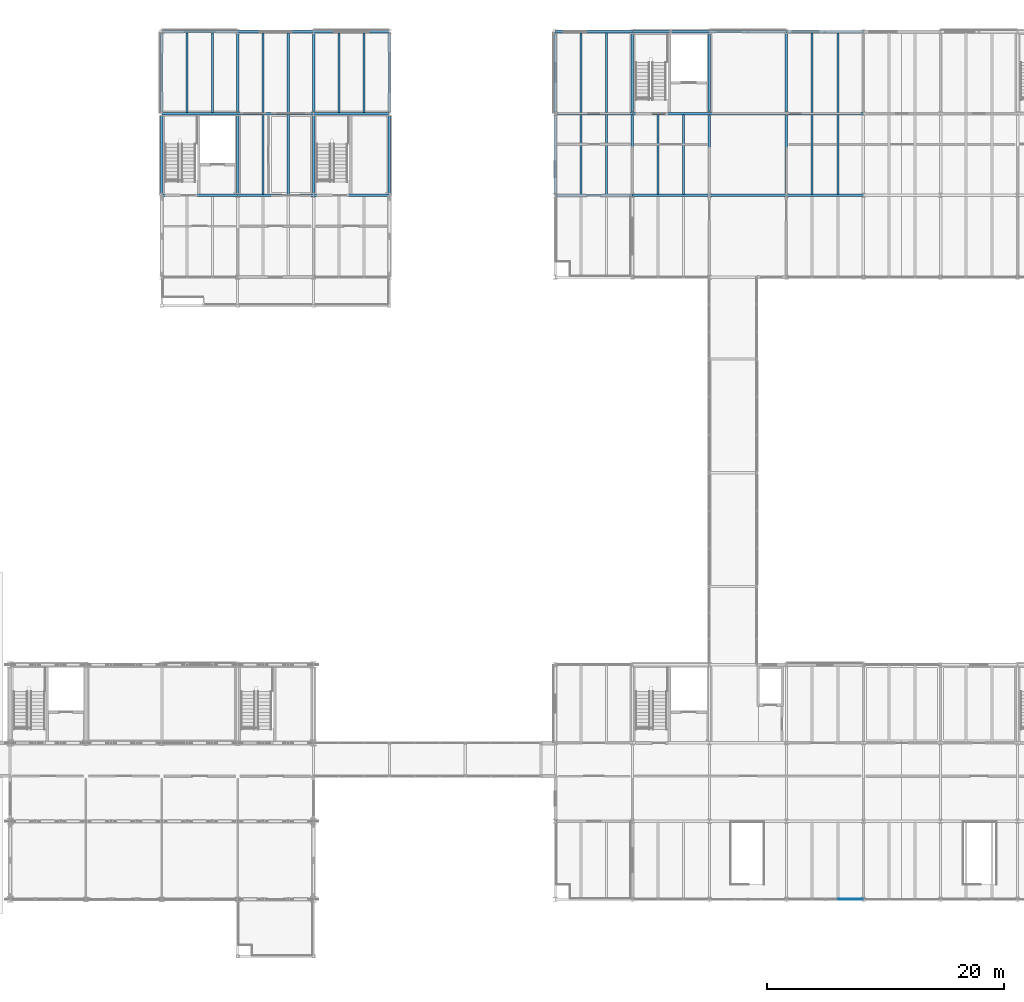
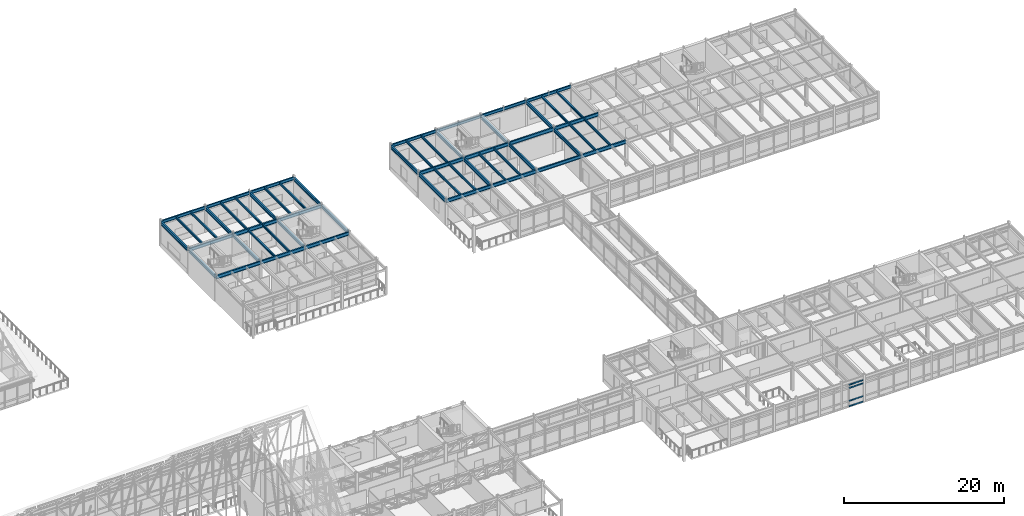
# One storey, part 79 of 144: 55 beams, 4 members, 1 element without a shape of its own.
"""IFC4 building model written with IfcOpenShell, lengths in metres."""

from ifc_helpers import new_model, si_unit, direction, frame, origin, origin_2d, place, context, subcontext, project, spatial, rectangle, i_section, extrude, material, layer, layer_set, material_profile, profile_set, type_object, element, aggregate, save


model = new_model("IFC4")

# Units and contexts
model_context = context("Model", 3, precision=1e-05, world=origin(), true_north=direction((0.0, 1.0)))
body_context = subcontext(model_context, "Body", "Model", "MODEL_VIEW")
ifc_project = project(units=[si_unit("LENGTHUNIT", "METRE"), si_unit("AREAUNIT", "SQUARE_METRE"), si_unit("VOLUMEUNIT", "CUBIC_METRE"), si_unit("PLANEANGLEUNIT", "RADIAN"), si_unit("MASSUNIT", "GRAM", prefix="KILO")], contexts=[model_context])

# Site, building, storey
site_placement = place(None, origin())
site = spatial("IfcSite", under=ifc_project, at=site_placement, CompositionType="ELEMENT")
building_placement = place(site_placement, origin())
building = spatial("IfcBuilding", under=site, at=building_placement, Name="Trelmorton Wharf Fire Station", CompositionType="ELEMENT")
storey_placement = place(building_placement, frame((0.0, 0.0, 5.39990234375)))
storey = spatial("IfcBuildingStorey", under=building, at=storey_placement, Name="L01", CompositionType="ELEMENT", Elevation=5.39990234375)

# Beams
ifc_material_1 = material(Name="Steel Grade 350", Category="steel")
ifc_material_profile_1 = material_profile(ifc_material_1, i_section(OverallWidth=0.208984375, OverallDepth=0.528076171875, WebThickness=0.009521484375, FlangeThickness=0.01318359375, FilletRadius=0.013916015625, at=origin_2d()), Name="530UB82.0")
ifc_profile_set_1 = profile_set([ifc_material_profile_1], Name="Steel Grade 350")
beam_type_1 = type_object("IfcBeamType", Name="BM_530UB82", PredefinedType="BEAM", material=ifc_profile_set_1)
for number, where, z_axis, x_axis, name in (
    (1, (70.805908203125, 67.199951171875, 3.666015625), (1.0, 0.0, 0.0), (0.0, 1.0, 0.0), "BM-L01-0513"),
    (2, (77.205810546875, 67.199951171875, 3.666015625), (1.0, 0.0, 0.0), (0.0, 1.0, 0.0), "BM-L01-0514"),
):
    element("IfcBeam", number, at=place(storey_placement, frame(where, z_axis=z_axis, x_axis=x_axis)), inside=storey, type_object=beam_type_1, Name=name, PredefinedType="BEAM", context=body_context, shape_type="SweptSolid", body=[
        extrude(i_section(OverallWidth=0.208984375, OverallDepth=0.528076171875, WebThickness=0.009521484375, FlangeThickness=0.01318359375, FilletRadius=0.013916015625, at=origin_2d()), origin(), (0.0, 0.0, 1.0), 6.38818359375),
    ])
beam_1_placement = place(storey_placement, frame((83.605712890625, 67.199951171875, 3.666015625), z_axis=(1.0, 0.0, 0.0), x_axis=(0.0, 1.0, 0.0)))
element("IfcBeam", 3, at=beam_1_placement, inside=storey, type_object=beam_type_1, Name="BM-L01-0515", PredefinedType="BEAM", context=body_context, shape_type="SweptSolid", body=[
    extrude(i_section(OverallWidth=0.208984375, OverallDepth=0.528076171875, WebThickness=0.009521484375, FlangeThickness=0.01318359375, FilletRadius=0.013916015625, at=origin_2d()), origin(), (0.0, 0.0, 1.0), 6.388427734375),
])
for number, where, z_axis, x_axis, name in (
    (4, (104.0048828125, 67.199951171875, 3.666015625), (1.0, 0.0, 0.0), (0.0, 1.0, 0.0), "BM-L01-0516"),
    (5, (110.5048828125, 67.199951171875, 3.666015625), (1.0, 0.0, 0.0), (0.0, 1.0, 0.0), "BM-L01-0517"),
    (6, (117.0048828125, 67.199951171875, 3.666015625), (1.0, 0.0, 0.0), (0.0, 1.0, 0.0), "BM-L01-0518"),
    (7, (123.5048828125, 67.199951171875, 3.666015625), (1.0, 0.0, 0.0), (0.0, 1.0, 0.0), "BM-L01-0519"),
):
    element("IfcBeam", number, at=place(storey_placement, frame(where, z_axis=z_axis, x_axis=x_axis)), inside=storey, type_object=beam_type_1, Name=name, PredefinedType="BEAM", context=body_context, shape_type="SweptSolid", body=[
        extrude(i_section(OverallWidth=0.208984375, OverallDepth=0.528076171875, WebThickness=0.009521484375, FlangeThickness=0.01318359375, FilletRadius=0.013916015625, at=origin_2d()), origin(), (0.0, 0.0, 1.0), 6.490234375),
    ])
for number, where, z_axis, x_axis, name in (
    (8, (70.805908203125, 74.10009765625, 3.666015625), (1.0, 0.0, 0.0), (0.0, 1.0, 0.0), "BM-L01-0532"),
    (9, (77.205810546875, 74.10009765625, 3.666015625), (1.0, 0.0, 0.0), (0.0, 1.0, 0.0), "BM-L01-0533"),
):
    element("IfcBeam", number, at=place(storey_placement, frame(where, z_axis=z_axis, x_axis=x_axis)), inside=storey, type_object=beam_type_1, Name=name, PredefinedType="BEAM", context=body_context, shape_type="SweptSolid", body=[
        extrude(i_section(OverallWidth=0.208984375, OverallDepth=0.528076171875, WebThickness=0.009521484375, FlangeThickness=0.01318359375, FilletRadius=0.013916015625, at=origin_2d()), origin(), (0.0, 0.0, 1.0), 6.38818359375),
    ])
beam_2_placement = place(storey_placement, frame((83.605712890625, 74.10009765625, 3.666015625), z_axis=(1.0, 0.0, 0.0), x_axis=(0.0, 1.0, 0.0)))
element("IfcBeam", 10, at=beam_2_placement, inside=storey, type_object=beam_type_1, Name="BM-L01-0534", PredefinedType="BEAM", context=body_context, shape_type="SweptSolid", body=[
    extrude(i_section(OverallWidth=0.208984375, OverallDepth=0.528076171875, WebThickness=0.009521484375, FlangeThickness=0.01318359375, FilletRadius=0.013916015625, at=origin_2d()), origin(), (0.0, 0.0, 1.0), 6.388427734375),
])
for number, where, z_axis, x_axis, name in (
    (11, (104.0048828125, 74.10009765625, 3.666015625), (1.0, 0.0, 0.0), (0.0, 1.0, 0.0), "BM-L01-0535"),
    (12, (110.5048828125, 74.10009765625, 3.666015625), (1.0, 0.0, 0.0), (0.0, 1.0, 0.0), "BM-L01-0536"),
    (13, (117.0048828125, 74.10009765625, 3.666015625), (1.0, 0.0, 0.0), (0.0, 1.0, 0.0), "BM-L01-0537"),
    (14, (123.5048828125, 74.10009765625, 3.666015625), (1.0, 0.0, 0.0), (0.0, 1.0, 0.0), "BM-L01-0538"),
):
    element("IfcBeam", number, at=place(storey_placement, frame(where, z_axis=z_axis, x_axis=x_axis)), inside=storey, type_object=beam_type_1, Name=name, PredefinedType="BEAM", context=body_context, shape_type="SweptSolid", body=[
        extrude(i_section(OverallWidth=0.208984375, OverallDepth=0.528076171875, WebThickness=0.009521484375, FlangeThickness=0.01318359375, FilletRadius=0.013916015625, at=origin_2d()), origin(), (0.0, 0.0, 1.0), 6.490234375),
    ])
ifc_material_profile_2 = material_profile(ifc_material_1, i_section(OverallWidth=0.208984375, OverallDepth=0.532958984375, WebThickness=0.01025390625, FlangeThickness=0.015625, FilletRadius=0.013916015625, at=origin_2d()), Name="530UB92.4")
ifc_profile_set_2 = profile_set([ifc_material_profile_2], Name="Steel Grade 350")
beam_type_2 = type_object("IfcBeamType", Name="BM_530UB92", PredefinedType="BEAM", material=ifc_profile_set_2)
beam_3_placement = place(storey_placement, frame((70.800048828125, 67.359619140625, 3.66357421875), z_axis=(0.0, 1.0, 0.0), x_axis=(-1.0, 0.0, 0.0)))
element("IfcBeam", 15, at=beam_3_placement, inside=storey, type_object=beam_type_2, Name="BM-L01-0593", PredefinedType="BEAM", context=body_context, shape_type="SweptSolid", body=[
    extrude(i_section(OverallWidth=0.208984375, OverallDepth=0.532958984375, WebThickness=0.01025390625, FlangeThickness=0.015625, FilletRadius=0.013916015625, at=origin_2d()), origin(), (0.0, 0.0, 1.0), 6.580810546875),
])
beam_4_placement = place(storey_placement, frame((70.800048828125, 74.259521484375, 3.66357421875), z_axis=(0.0, 1.0, 0.0), x_axis=(-1.0, 0.0, 0.0)))
element("IfcBeam", 16, at=beam_4_placement, inside=storey, type_object=beam_type_2, Name="BM-L01-0594", PredefinedType="BEAM", context=body_context, shape_type="SweptSolid", body=[
    extrude(i_section(OverallWidth=0.208984375, OverallDepth=0.532958984375, WebThickness=0.01025390625, FlangeThickness=0.015625, FilletRadius=0.013916015625, at=origin_2d()), origin(), (0.0, 0.0, 1.0), 6.5810546875),
])
beam_5_placement = place(storey_placement, frame((77.199951171875, 67.359619140625, 3.66357421875), z_axis=(0.0, 1.0, 0.0), x_axis=(-1.0, 0.0, 0.0)))
element("IfcBeam", 17, at=beam_5_placement, inside=storey, type_object=beam_type_2, Name="BM-L01-0599", PredefinedType="BEAM", context=body_context, shape_type="SweptSolid", body=[
    extrude(i_section(OverallWidth=0.208984375, OverallDepth=0.532958984375, WebThickness=0.01025390625, FlangeThickness=0.015625, FilletRadius=0.013916015625, at=origin_2d()), origin(), (0.0, 0.0, 1.0), 6.580810546875),
])
beam_6_placement = place(storey_placement, frame((77.199951171875, 74.259521484375, 3.66357421875), z_axis=(0.0, 1.0, 0.0), x_axis=(-1.0, 0.0, 0.0)))
element("IfcBeam", 18, at=beam_6_placement, inside=storey, type_object=beam_type_2, Name="BM-L01-0600", PredefinedType="BEAM", context=body_context, shape_type="SweptSolid", body=[
    extrude(i_section(OverallWidth=0.208984375, OverallDepth=0.532958984375, WebThickness=0.01025390625, FlangeThickness=0.015625, FilletRadius=0.013916015625, at=origin_2d()), origin(), (0.0, 0.0, 1.0), 6.5810546875),
])
beam_7_placement = place(storey_placement, frame((83.60009765625, 67.359619140625, 3.66357421875), z_axis=(0.0, 1.0, 0.0), x_axis=(-1.0, 0.0, 0.0)))
element("IfcBeam", 19, at=beam_7_placement, inside=storey, type_object=beam_type_2, Name="BM-L01-0607", PredefinedType="BEAM", context=body_context, shape_type="SweptSolid", body=[
    extrude(i_section(OverallWidth=0.208984375, OverallDepth=0.532958984375, WebThickness=0.01025390625, FlangeThickness=0.015625, FilletRadius=0.013916015625, at=origin_2d()), origin(), (0.0, 0.0, 1.0), 6.580810546875),
])
beam_8_placement = place(storey_placement, frame((83.60009765625, 74.259521484375, 3.66357421875), z_axis=(0.0, 1.0, 0.0), x_axis=(-1.0, 0.0, 0.0)))
element("IfcBeam", 20, at=beam_8_placement, inside=storey, type_object=beam_type_2, Name="BM-L01-0608", PredefinedType="BEAM", context=body_context, shape_type="SweptSolid", body=[
    extrude(i_section(OverallWidth=0.208984375, OverallDepth=0.532958984375, WebThickness=0.01025390625, FlangeThickness=0.015625, FilletRadius=0.013916015625, at=origin_2d()), origin(), (0.0, 0.0, 1.0), 6.5810546875),
])
beam_9_placement = place(storey_placement, frame((90.0, 67.359619140625, 3.66357421875), z_axis=(0.0, 1.0, 0.0), x_axis=(-1.0, 0.0, 0.0)))
element("IfcBeam", 21, at=beam_9_placement, inside=storey, type_object=beam_type_2, Name="BM-L01-0612", PredefinedType="BEAM", context=body_context, shape_type="SweptSolid", body=[
    extrude(i_section(OverallWidth=0.208984375, OverallDepth=0.532958984375, WebThickness=0.01025390625, FlangeThickness=0.015625, FilletRadius=0.013916015625, at=origin_2d()), origin(), (0.0, 0.0, 1.0), 6.580810546875),
])
beam_10_placement = place(storey_placement, frame((90.0, 74.259521484375, 3.66357421875), z_axis=(0.0, 1.0, 0.0), x_axis=(-1.0, 0.0, 0.0)))
element("IfcBeam", 22, at=beam_10_placement, inside=storey, type_object=beam_type_2, Name="BM-L01-0613", PredefinedType="BEAM", context=body_context, shape_type="SweptSolid", body=[
    extrude(i_section(OverallWidth=0.208984375, OverallDepth=0.532958984375, WebThickness=0.01025390625, FlangeThickness=0.015625, FilletRadius=0.013916015625, at=origin_2d()), origin(), (0.0, 0.0, 1.0), 6.5810546875),
])
beam_11_placement = place(storey_placement, frame((104.0, 67.3564453125, 3.66357421875), z_axis=(0.0, 1.0, 0.0), x_axis=(-1.0, 0.0, 0.0)))
element("IfcBeam", 23, at=beam_11_placement, inside=storey, type_object=beam_type_2, Name="BM-L01-0620", PredefinedType="BEAM", context=body_context, shape_type="SweptSolid", body=[
    extrude(i_section(OverallWidth=0.208984375, OverallDepth=0.532958984375, WebThickness=0.01025390625, FlangeThickness=0.015625, FilletRadius=0.013916015625, at=origin_2d()), origin(), (0.0, 0.0, 1.0), 6.587158203125),
])
beam_12_placement = place(storey_placement, frame((104.0, 74.256591796875, 3.66357421875), z_axis=(0.0, 1.0, 0.0), x_axis=(-1.0, 0.0, 0.0)))
element("IfcBeam", 24, at=beam_12_placement, inside=storey, type_object=beam_type_2, Name="BM-L01-0621", PredefinedType="BEAM", context=body_context, shape_type="SweptSolid", body=[
    extrude(i_section(OverallWidth=0.208984375, OverallDepth=0.532958984375, WebThickness=0.01025390625, FlangeThickness=0.015625, FilletRadius=0.013916015625, at=origin_2d()), origin(), (0.0, 0.0, 1.0), 6.5869140625),
])
beam_13_placement = place(storey_placement, frame((110.5, 67.3564453125, 3.66357421875), z_axis=(0.0, 1.0, 0.0), x_axis=(-1.0, 0.0, 0.0)))
element("IfcBeam", 25, at=beam_13_placement, inside=storey, type_object=beam_type_2, Name="BM-L01-0626", PredefinedType="BEAM", context=body_context, shape_type="SweptSolid", body=[
    extrude(i_section(OverallWidth=0.208984375, OverallDepth=0.532958984375, WebThickness=0.01025390625, FlangeThickness=0.015625, FilletRadius=0.013916015625, at=origin_2d()), origin(), (0.0, 0.0, 1.0), 6.587158203125),
])
beam_14_placement = place(storey_placement, frame((110.5, 74.256591796875, 3.66357421875), z_axis=(0.0, 1.0, 0.0), x_axis=(-1.0, 0.0, 0.0)))
element("IfcBeam", 26, at=beam_14_placement, inside=storey, type_object=beam_type_2, Name="BM-L01-0627", PredefinedType="BEAM", context=body_context, shape_type="SweptSolid", body=[
    extrude(i_section(OverallWidth=0.208984375, OverallDepth=0.532958984375, WebThickness=0.01025390625, FlangeThickness=0.015625, FilletRadius=0.013916015625, at=origin_2d()), origin(), (0.0, 0.0, 1.0), 6.5869140625),
])
beam_15_placement = place(storey_placement, frame((117.0, 67.3564453125, 3.66357421875), z_axis=(0.0, 1.0, 0.0), x_axis=(-1.0, 0.0, 0.0)))
element("IfcBeam", 27, at=beam_15_placement, inside=storey, type_object=beam_type_2, Name="BM-L01-0636", PredefinedType="BEAM", context=body_context, shape_type="SweptSolid", body=[
    extrude(i_section(OverallWidth=0.208984375, OverallDepth=0.532958984375, WebThickness=0.01025390625, FlangeThickness=0.015625, FilletRadius=0.013916015625, at=origin_2d()), origin(), (0.0, 0.0, 1.0), 6.587158203125),
])
beam_16_placement = place(storey_placement, frame((117.0, 74.256591796875, 3.66357421875), z_axis=(0.0, 1.0, 0.0), x_axis=(-1.0, 0.0, 0.0)))
element("IfcBeam", 28, at=beam_16_placement, inside=storey, type_object=beam_type_2, Name="BM-L01-0637", PredefinedType="BEAM", context=body_context, shape_type="SweptSolid", body=[
    extrude(i_section(OverallWidth=0.208984375, OverallDepth=0.532958984375, WebThickness=0.01025390625, FlangeThickness=0.015625, FilletRadius=0.013916015625, at=origin_2d()), origin(), (0.0, 0.0, 1.0), 6.5869140625),
])
beam_17_placement = place(storey_placement, frame((123.5, 67.3564453125, 3.66357421875), z_axis=(0.0, 1.0, 0.0), x_axis=(-1.0, 0.0, 0.0)))
element("IfcBeam", 29, at=beam_17_placement, inside=storey, type_object=beam_type_2, Name="BM-L01-0644", PredefinedType="BEAM", context=body_context, shape_type="SweptSolid", body=[
    extrude(i_section(OverallWidth=0.208984375, OverallDepth=0.532958984375, WebThickness=0.01025390625, FlangeThickness=0.015625, FilletRadius=0.013916015625, at=origin_2d()), origin(), (0.0, 0.0, 1.0), 6.587158203125),
])
beam_18_placement = place(storey_placement, frame((123.5, 74.256591796875, 3.66357421875), z_axis=(0.0, 1.0, 0.0), x_axis=(-1.0, 0.0, 0.0)))
element("IfcBeam", 30, at=beam_18_placement, inside=storey, type_object=beam_type_2, Name="BM-L01-0645", PredefinedType="BEAM", context=body_context, shape_type="SweptSolid", body=[
    extrude(i_section(OverallWidth=0.208984375, OverallDepth=0.532958984375, WebThickness=0.01025390625, FlangeThickness=0.015625, FilletRadius=0.013916015625, at=origin_2d()), origin(), (0.0, 0.0, 1.0), 6.5869140625),
])

# Curtain wall, members
ifc_material_2 = material(Name="Anodised aluminium AW-6063", Category="aluminium")
ifc_layer = layer(ifc_material_2, 0.175048828125)
ifc_layer_set = layer_set([ifc_layer], Name="Anodised aluminium AW-6063")
curtain_wall_type = type_object("IfcCurtainWallType", Name="CW_CHIC_B", PredefinedType="USERDEFINED", material=ifc_layer_set)
curtain_wall_placement = place(storey_placement, origin())
curtain_wall = element("IfcCurtainWall", 31, at=curtain_wall_placement, inside=storey, type_object=curtain_wall_type, Name="CW-V5-L01-040", ObjectType="CHICAGO BAY CURTAIN WALL", PredefinedType="USERDEFINED")
ifc_material_profile_3 = material_profile(ifc_material_2, rectangle(XDim=0.074951171875, YDim=0.155029296875, at=origin_2d()), Name="ALU-75x155")
ifc_profile_set_3 = profile_set([ifc_material_profile_3], Name="Anodised aluminium AW-6063")
member_type = type_object("IfcMemberType", Name="CWT_75x155", PredefinedType="USERDEFINED", material=ifc_profile_set_3)
member_1_placement = place(storey_placement, frame((129.93505859375, 7.800048828125, 0.030029296875), z_axis=(-1.0, 0.0, 0.0), x_axis=(0.0, -1.0, 0.0)))
member_1 = element("IfcMember", 32, at=member_1_placement, type_object=member_type, Name="CW2 transom 1.1", ObjectType="TRANSOM", PredefinedType="USERDEFINED", context=body_context, shape_type="SweptSolid", body=[
    extrude(rectangle(XDim=0.074951171875, YDim=0.155029296875, at=origin_2d()), origin(), (0.0, 0.0, 1.0), 2.073486328125),
])
member_2_placement = place(storey_placement, frame((129.93505859375, 7.800048828125, 0.85009765625), z_axis=(-1.0, 0.0, 0.0), x_axis=(0.0, -1.0, 0.0)))
member_2 = element("IfcMember", 33, at=member_2_placement, type_object=member_type, Name="CW2 transom 1.2", ObjectType="TRANSOM", PredefinedType="USERDEFINED", context=body_context, shape_type="SweptSolid", body=[
    extrude(rectangle(XDim=0.074951171875, YDim=0.155029296875, at=origin_2d()), origin(), (0.0, 0.0, 1.0), 2.073486328125),
])
member_3_placement = place(storey_placement, frame((129.93505859375, 7.800048828125, 2.820068359375), z_axis=(-1.0, 0.0, 0.0), x_axis=(0.0, -1.0, 0.0)))
member_3 = element("IfcMember", 34, at=member_3_placement, type_object=member_type, Name="CW2 transom 1.3", ObjectType="TRANSOM", PredefinedType="USERDEFINED", context=body_context, shape_type="SweptSolid", body=[
    extrude(rectangle(XDim=0.074951171875, YDim=0.155029296875, at=origin_2d()), origin(), (0.0, 0.0, 1.0), 2.073486328125),
])
member_4_placement = place(storey_placement, frame((129.93505859375, 7.800048828125, 3.2900390625), z_axis=(-1.0, 0.0, 0.0), x_axis=(0.0, -1.0, 0.0)))
member_4 = element("IfcMember", 35, at=member_4_placement, type_object=member_type, Name="CW2 transom 1.4", ObjectType="TRANSOM", PredefinedType="USERDEFINED", context=body_context, shape_type="SweptSolid", body=[
    extrude(rectangle(XDim=0.074951171875, YDim=0.155029296875, at=origin_2d()), origin(), (0.0, 0.0, 1.0), 2.073486328125),
])
aggregate(curtain_wall, [member_1, member_2, member_3, member_4])

# Beams
ifc_material_profile_4 = material_profile(ifc_material_1, i_section(OverallWidth=0.172119140625, OverallDepth=0.35888671875, WebThickness=0.008056640625, FlangeThickness=0.012939453125, FilletRadius=0.011474609375, at=origin_2d()), Name="360UB56.7")
ifc_profile_set_4 = profile_set([ifc_material_profile_4], Name="Steel Grade 350")
beam_type_3 = type_object("IfcBeamType", Name="JS_360UB57", PredefinedType="JOIST", material=ifc_profile_set_4)
for number, where, z_axis, x_axis, name in (
    (36, (72.933349609375, 74.18994140625, 3.75048828125), (0.0, 1.0, 0.0), (-1.0, 0.0, 0.0), "JS-L01-0143"),
    (37, (75.066650390625, 74.18994140625, 3.75048828125), (0.0, 1.0, 0.0), (-1.0, 0.0, 0.0), "JS-L01-0144"),
    (38, (79.333251953125, 67.2900390625, 3.75048828125), (0.0, 1.0, 0.0), (-1.0, 0.0, 0.0), "JS-L01-0147"),
    (39, (81.466796875, 67.2900390625, 3.75048828125), (0.0, 1.0, 0.0), (-1.0, 0.0, 0.0), "JS-L01-0148"),
    (40, (79.333251953125, 74.18994140625, 3.75048828125), (0.0, 1.0, 0.0), (-1.0, 0.0, 0.0), "JS-L01-0149"),
    (41, (81.466796875, 74.18994140625, 3.75048828125), (0.0, 1.0, 0.0), (-1.0, 0.0, 0.0), "JS-L01-0150"),
    (42, (85.7333984375, 74.18994140625, 3.75048828125), (0.0, 1.0, 0.0), (-1.0, 0.0, 0.0), "JS-L01-0153"),
    (43, (87.86669921875, 74.18994140625, 3.75048828125), (0.0, 1.0, 0.0), (-1.0, 0.0, 0.0), "JS-L01-0154"),
    (44, (106.166748046875, 67.2900390625, 3.75048828125), (0.0, 1.0, 0.0), (-1.0, 0.0, 0.0), "JS-L01-0161"),
    (45, (108.333251953125, 67.2900390625, 3.75048828125), (0.0, 1.0, 0.0), (-1.0, 0.0, 0.0), "JS-L01-0162"),
    (46, (106.166748046875, 74.18994140625, 3.75048828125), (0.0, 1.0, 0.0), (-1.0, 0.0, 0.0), "JS-L01-0163"),
    (47, (108.333251953125, 74.18994140625, 3.75048828125), (0.0, 1.0, 0.0), (-1.0, 0.0, 0.0), "JS-L01-0164"),
    (48, (112.666748046875, 67.2900390625, 3.75048828125), (0.0, 1.0, 0.0), (-1.0, 0.0, 0.0), "JS-L01-0169"),
    (49, (114.833251953125, 67.2900390625, 3.75048828125), (0.0, 1.0, 0.0), (-1.0, 0.0, 0.0), "JS-L01-0170"),
    (50, (125.666748046875, 67.2900390625, 3.75048828125), (0.0, 1.0, 0.0), (-1.0, 0.0, 0.0), "JS-L01-0177"),
    (51, (127.833251953125, 67.2900390625, 3.75048828125), (0.0, 1.0, 0.0), (-1.0, 0.0, 0.0), "JS-L01-0178"),
    (52, (125.666748046875, 74.18994140625, 3.75048828125), (0.0, 1.0, 0.0), (-1.0, 0.0, 0.0), "JS-L01-0179"),
    (53, (127.833251953125, 74.18994140625, 3.75048828125), (0.0, 1.0, 0.0), (-1.0, 0.0, 0.0), "JS-L01-0180"),
):
    element("IfcBeam", number, at=place(storey_placement, frame(where, z_axis=z_axis, x_axis=x_axis)), inside=storey, type_object=beam_type_3, Name=name, PredefinedType="JOIST", context=body_context, shape_type="SweptSolid", body=[
        extrude(i_section(OverallWidth=0.172119140625, OverallDepth=0.35888671875, WebThickness=0.008056640625, FlangeThickness=0.012939453125, FilletRadius=0.011474609375, at=origin_2d()), origin(), (0.0, 0.0, 1.0), 6.719970703125),
    ])
ifc_material_profile_5 = material_profile(ifc_material_1, i_section(OverallWidth=0.18994140625, OverallDepth=0.45703125, WebThickness=0.009033203125, FlangeThickness=0.014404296875, FilletRadius=0.011474609375, at=origin_2d()), Name="460UB74.6")
ifc_profile_set_5 = profile_set([ifc_material_profile_5], Name="Steel Grade 350")
beam_type_4 = type_object("IfcBeamType", Name="SP_460UB75", PredefinedType="SPANDREL", material=ifc_profile_set_5)
for number, where, z_axis, x_axis, name in (
    (54, (70.805908203125, 81.0, 3.70166015625), (1.0, 0.0, 0.0), (0.0, 1.0, 0.0), "BM-L01-0551"),
    (55, (77.205810546875, 81.0, 3.70166015625), (1.0, 0.0, 0.0), (0.0, 1.0, 0.0), "BM-L01-0552"),
):
    element("IfcBeam", number, at=place(storey_placement, frame(where, z_axis=z_axis, x_axis=x_axis)), inside=storey, type_object=beam_type_4, Name=name, PredefinedType="SPANDREL", context=body_context, shape_type="SweptSolid", body=[
        extrude(i_section(OverallWidth=0.18994140625, OverallDepth=0.45703125, WebThickness=0.009033203125, FlangeThickness=0.014404296875, FilletRadius=0.011474609375, at=origin_2d()), origin(), (0.0, 0.0, 1.0), 6.38818359375),
    ])
beam_19_placement = place(storey_placement, frame((83.605712890625, 81.0, 3.70166015625), z_axis=(1.0, 0.0, 0.0), x_axis=(0.0, 1.0, 0.0)))
element("IfcBeam", 56, at=beam_19_placement, inside=storey, type_object=beam_type_4, Name="BM-L01-0553", PredefinedType="SPANDREL", context=body_context, shape_type="SweptSolid", body=[
    extrude(i_section(OverallWidth=0.18994140625, OverallDepth=0.45703125, WebThickness=0.009033203125, FlangeThickness=0.014404296875, FilletRadius=0.011474609375, at=origin_2d()), origin(), (0.0, 0.0, 1.0), 6.388427734375),
])
for number, where, z_axis, x_axis, name in (
    (57, (104.0048828125, 81.0, 3.70166015625), (1.0, 0.0, 0.0), (0.0, 1.0, 0.0), "BM-L01-0554"),
    (58, (110.5048828125, 81.0, 3.70166015625), (1.0, 0.0, 0.0), (0.0, 1.0, 0.0), "BM-L01-0555"),
    (59, (117.0048828125, 81.0, 3.70166015625), (1.0, 0.0, 0.0), (0.0, 1.0, 0.0), "BM-L01-0556"),
    (60, (123.5048828125, 81.0, 3.70166015625), (1.0, 0.0, 0.0), (0.0, 1.0, 0.0), "BM-L01-0557"),
):
    element("IfcBeam", number, at=place(storey_placement, frame(where, z_axis=z_axis, x_axis=x_axis)), inside=storey, type_object=beam_type_4, Name=name, PredefinedType="SPANDREL", context=body_context, shape_type="SweptSolid", body=[
        extrude(i_section(OverallWidth=0.18994140625, OverallDepth=0.45703125, WebThickness=0.009033203125, FlangeThickness=0.014404296875, FilletRadius=0.011474609375, at=origin_2d()), origin(), (0.0, 0.0, 1.0), 6.490234375),
    ])

save(model, "model.ifc")
